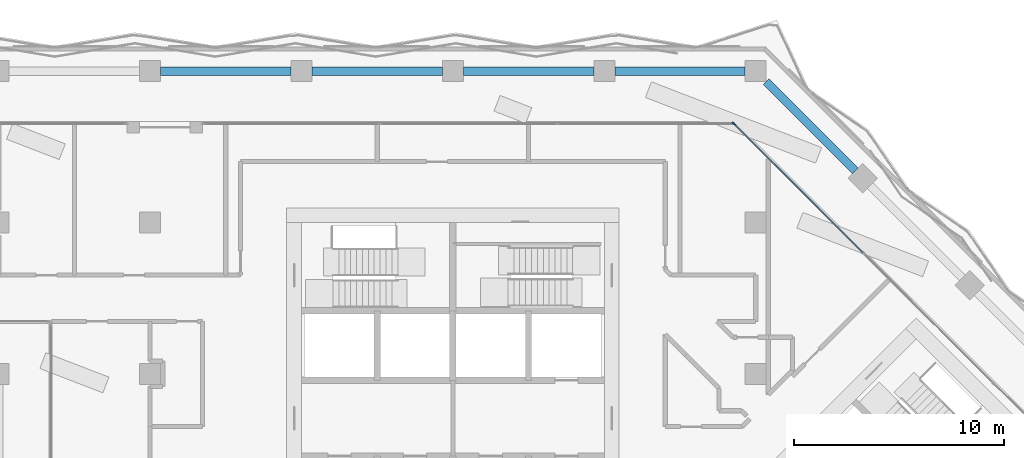
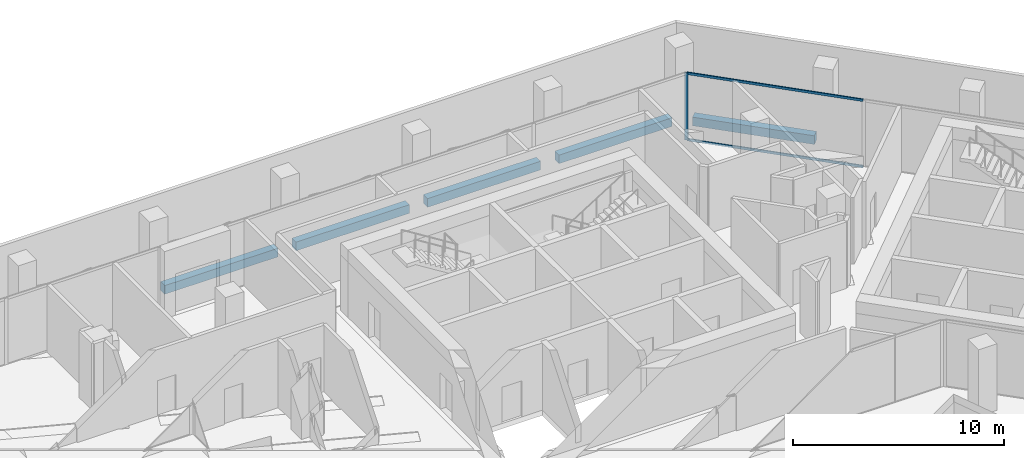
# One storey, part 6 of 23: 5 beams, 3 members, 1 element without a shape of its own.
"""IFC4 building model written with IfcOpenShell, lengths in metres."""

import ifcopenshell
import ifcopenshell.guid

model = None  # the IFC model being written
_history = None  # IfcOwnerHistory: only IFC2X3 demands one
_inside = {}  # id of a spatial element -> (the spatial element, [elements in it])
_under = {}  # id of a project, library or spatial element -> (it, [spatial elements below it])
_declared = {}  # id of a project -> (the project, [libraries it declares])
_typed = {}  # id of a type object -> (the type object, [elements of that type])
_made_of = {}  # id of a material, layer set ... -> (it, [elements and type objects made of it])


def new_model(schema):
    """Start an empty IFC model of exactly this schema.

    Asked for "IFC4X3", IfcOpenShell would pick the latest addendum, in which some entities
    have other attributes; the version numbers below select the first issue.
    IFC2X3 requires an IfcOwnerHistory on every rooted entity: one is made here for all.
    """
    global model, _history
    if schema == "IFC4X3":
        model = ifcopenshell.file(schema_version=(4, 3, 0, 0))
    else:
        model = ifcopenshell.file(schema=schema)
    _inside.clear()
    _under.clear()
    _declared.clear()
    _typed.clear()
    _made_of.clear()
    _history = None
    if model.schema == "IFC2X3":
        org = make("IfcOrganization", Name="unknown")
        user = make(
            "IfcPersonAndOrganization",
            ThePerson=make("IfcPerson", FamilyName="unknown"),
            TheOrganization=org,
        )
        app = make(
            "IfcApplication",
            ApplicationDeveloper=org,
            Version="unknown",
            ApplicationFullName="unknown",
            ApplicationIdentifier="unknown",
        )
        _history = make(
            "IfcOwnerHistory",
            OwningUser=user,
            OwningApplication=app,
            ChangeAction="ADDED",
            CreationDate=0,
        )
    return model


def make(cls, **values):
    """One entity of the class cls with the attributes given. An attribute that is None is left unset."""
    return model.create_entity(
        cls, **{name: value for name, value in values.items() if value is not None}
    )


def rooted(cls, **values):
    """An entity with a GlobalId (a new one), such as an element, a storey or a relation."""
    return make(cls, GlobalId=ifcopenshell.guid.new(), OwnerHistory=_history, **values)


def si_unit(unit_type, name, prefix=None):
    """IfcSIUnit, for example si_unit("LENGTHUNIT", "METRE", prefix="MILLI")."""
    return make("IfcSIUnit", UnitType=unit_type, Prefix=prefix, Name=name)


def assignment(units):
    """IfcUnitAssignment: the units of a project."""
    return None if units is None else make("IfcUnitAssignment", Units=units)


def point(xyz):
    """IfcCartesianPoint."""
    return None if xyz is None else make("IfcCartesianPoint", Coordinates=xyz)


def direction(xyz):
    """IfcDirection."""
    return None if xyz is None else make("IfcDirection", DirectionRatios=xyz)


def frame(location, z_axis=None, x_axis=None):
    """IfcAxis2Placement3D, a coordinate frame: its origin and axes. An axis left out is left unset."""
    return make(
        "IfcAxis2Placement3D",
        Location=point(location),
        Axis=direction(z_axis),
        RefDirection=direction(x_axis),
    )


def frame_2d(location, x_axis=None):
    """IfcAxis2Placement2D, a coordinate frame in the plane: its origin and x axis."""
    return make(
        "IfcAxis2Placement2D", Location=point(location), RefDirection=direction(x_axis)
    )


def origin():
    """The frame at (0, 0, 0) with its axes left unset."""
    return frame((0.0, 0.0, 0.0))


def origin_2d():
    """The frame at (0, 0) in the plane with its x axis left unset."""
    return frame_2d((0.0, 0.0))


def place(relative_to, where):
    """IfcLocalPlacement: puts the frame where relative to a parent placement (None: the world)."""
    return make(
        "IfcLocalPlacement", PlacementRelTo=relative_to, RelativePlacement=where
    )


def context(
    kind, dimensions, precision=None, world=None, true_north=None, identifier=None
):
    """IfcGeometricRepresentationContext, for example the 3D "Model" context."""
    return make(
        "IfcGeometricRepresentationContext",
        ContextIdentifier=identifier,
        ContextType=kind,
        CoordinateSpaceDimension=dimensions,
        Precision=precision,
        WorldCoordinateSystem=world,
        TrueNorth=true_north,
    )


def subcontext(parent, identifier, kind, view, scale=None):
    """IfcGeometricRepresentationSubContext, for example "Body" below "Model"."""
    return make(
        "IfcGeometricRepresentationSubContext",
        ContextIdentifier=identifier,
        ContextType=kind,
        ParentContext=parent,
        TargetScale=scale,
        TargetView=view,
    )


def project(units=None, contexts=None):
    """IfcProject with its units and contexts."""
    return rooted(
        "IfcProject",
        Name="project",
        RepresentationContexts=contexts,
        UnitsInContext=assignment(units),
    )


def spatial(cls, under=None, at=None, **own):
    """A site, building, storey or space (cls), placed at a placement, below another one or the project."""
    s = rooted(cls, ObjectPlacement=at, **own)
    if under is not None:
        _under.setdefault(under.id(), (under, []))[1].append(s)
    return s


def profile(cls, at=None, kind="AREA", **sizes):
    """A parametric profile (cls). Its sizes go by their IFC names, for example OverallWidth=200.0."""
    return make(cls, ProfileType=kind, Position=at, **sizes)


def rectangle(**sizes):
    """IfcRectangleProfileDef."""
    return profile("IfcRectangleProfileDef", **sizes)


def extrude(swept, where, along, depth):
    """IfcExtrudedAreaSolid: the profile swept, set in the frame where, extruded along a direction by depth."""
    return make(
        "IfcExtrudedAreaSolid",
        SweptArea=swept,
        Position=where,
        ExtrudedDirection=direction(along),
        Depth=depth,
    )


def shape(context_of_items, identifier, shape_type, items):
    """IfcShapeRepresentation: the items that make up one representation, for example the "Body"."""
    return make(
        "IfcShapeRepresentation",
        ContextOfItems=context_of_items,
        RepresentationIdentifier=identifier,
        RepresentationType=shape_type,
        Items=items,
    )


def material(Name=None, Category=None):
    """IfcMaterial."""
    return make("IfcMaterial", Name=Name, Category=Category)


def material_profile(
    of_material, cross_section, Name=None, Category=None, Priority=None
):
    """IfcMaterialProfile: a cross section and its material."""
    return make(
        "IfcMaterialProfile",
        Name=Name,
        Material=of_material,
        Profile=cross_section,
        Priority=Priority,
        Category=Category,
    )


def profile_set(profiles, Name=None, composite=None):
    """IfcMaterialProfileSet."""
    return make(
        "IfcMaterialProfileSet",
        Name=Name,
        MaterialProfiles=profiles,
        CompositeProfile=composite,
    )


def made_of(thing, what):
    """Note that an element or type object is made of a material, layer set ...; save() writes the relation."""
    if what is not None:
        _made_of.setdefault(what.id(), (what, []))[1].append(thing)
    return thing


def type_object(cls, material=None, **own):
    """A type object (cls), such as IfcWallType, which elements share."""
    return made_of(rooted(cls, **own), material)


def element(
    cls,
    number,
    at=None,
    inside=None,
    cuts=None,
    type_object=None,
    material=None,
    context=None,
    identifier="Body",
    shape_type=None,
    held_by="IfcProductDefinitionShape",
    body=None,
    shapes=None,
    **own,
):
    """One element of the class cls, such as IfcWall. Its Tag is "e" and its number.

    at: its placement. inside: the storey or other place that contains it. cuts: it is an
    opening in that element (IfcRelVoidsElement). A single representation is given by context,
    identifier, shape_type and body (its items); several are given by shapes. held_by: the class
    of the entity that holds the representations. save() writes the other relations.
    """
    e = rooted(cls, Tag="e%d" % number, ObjectPlacement=at, **own)
    if body is not None:
        shapes = [shape(context, identifier, shape_type, body)]
    if shapes is not None:
        e.Representation = make(held_by, Representations=shapes)
    if inside is not None:
        _inside.setdefault(inside.id(), (inside, []))[1].append(e)
    if cuts is not None:
        rooted(
            "IfcRelVoidsElement", RelatingBuildingElement=cuts, RelatedOpeningElement=e
        )
    if type_object is not None:
        _typed.setdefault(type_object.id(), (type_object, []))[1].append(e)
    return made_of(e, material)


def aggregate(whole, parts):
    """IfcRelAggregates: a whole, such as a stair, and the parts it consists of."""
    return rooted("IfcRelAggregates", RelatingObject=whole, RelatedObjects=parts)


def save(model, path):
    """Write the relations noted so far, then the file.

    IfcRelAggregates (storeys below a building ...), IfcRelContainedInSpatialStructure (elements
    in a storey), IfcRelDefinesByType, IfcRelAssociatesMaterial and IfcRelDeclares: one each for
    every whole, place, type object, material and project.
    """
    for whole, parts in _under.values():
        aggregate(whole, parts)
    for where, things in _inside.values():
        rooted(
            "IfcRelContainedInSpatialStructure",
            RelatedElements=things,
            RelatingStructure=where,
        )
    for kind, things in _typed.values():
        rooted("IfcRelDefinesByType", RelatedObjects=things, RelatingType=kind)
    for what, things in _made_of.values():
        rooted("IfcRelAssociatesMaterial", RelatedObjects=things, RelatingMaterial=what)
    for by, libraries in _declared.values():
        rooted("IfcRelDeclares", RelatingContext=by, RelatedDefinitions=libraries)
    model.write(path)


model = new_model("IFC4")

# Units and contexts
model_context = context("Model", 3, precision=1e-05, world=origin(), true_north=direction((0.0, 1.0)))
body_context = subcontext(model_context, "Body", "Model", "MODEL_VIEW")
ifc_project = project(units=[si_unit("LENGTHUNIT", "METRE"), si_unit("AREAUNIT", "SQUARE_METRE"), si_unit("VOLUMEUNIT", "CUBIC_METRE"), si_unit("PLANEANGLEUNIT", "RADIAN"), si_unit("MASSUNIT", "GRAM", prefix="KILO")], contexts=[model_context])

# Site, building, storey
site_placement = place(None, origin())
site = spatial("IfcSite", under=ifc_project, at=site_placement, CompositionType="ELEMENT")
building_placement = place(site_placement, origin())
building = spatial("IfcBuilding", under=site, at=building_placement, Name="Windrow Commons", CompositionType="ELEMENT")
storey_placement = place(building_placement, frame((0.0, 0.0, 122.0)))
storey = spatial("IfcBuildingStorey", under=building, at=storey_placement, Name="L33", CompositionType="ELEMENT", Elevation=122.0)

# Curtain wall, members
ifc_material_1 = material(Name="Clear laminated glass in Aluminium 6063-T6 anodised frame", Category="aluminium")
curtain_wall_type = type_object("IfcCurtainWallType", Name="Curtain wall CW2M sky lounge mid", PredefinedType="USERDEFINED", material=ifc_material_1)
curtain_wall_placement = place(storey_placement, origin())
curtain_wall = element("IfcCurtainWall", 1, at=curtain_wall_placement, inside=storey, type_object=curtain_wall_type, Name="Curtain wall CW2M L33 3", ObjectType="UNITISED", PredefinedType="USERDEFINED")
ifc_material_2 = material(Name="Aluminium 6063-T6", Category="aluminium")
ifc_material_profile_1 = material_profile(ifc_material_2, rectangle(XDim=0.06, YDim=0.18, at=origin_2d()))
ifc_profile_set_1 = profile_set([ifc_material_profile_1], Name="Aluminium 6063-T6")
member_type_1 = type_object("IfcMemberType", Name="CW2M mullion 60x180", PredefinedType="MULLION", material=ifc_profile_set_1)
member_1_placement = place(storey_placement, frame((78.1564, 69.5081, 0.0), z_axis=(0.0, 0.0, 1.0), x_axis=(-0.7071067812, -0.7071067812, 0.0)))
member_1 = element("IfcMember", 2, at=member_1_placement, type_object=member_type_1, Name="CW2M mullion 5", PredefinedType="MULLION", context=body_context, shape_type="SweptSolid", body=[
    extrude(rectangle(XDim=0.06, YDim=0.18, at=origin_2d()), origin(), (0.0, 0.0, 1.0), 3.9),
])
ifc_material_3 = material(Name="Aluminium 6063-T6", Category="aluminium")
ifc_material_profile_2 = material_profile(ifc_material_3, rectangle(XDim=0.06, YDim=0.14, at=origin_2d()))
ifc_profile_set_2 = profile_set([ifc_material_profile_2], Name="Aluminium 6063-T6")
member_type_2 = type_object("IfcMemberType", Name="CW2M transom 60x140", PredefinedType="USERDEFINED", material=ifc_profile_set_2)
member_2_placement = place(storey_placement, frame((84.3022, 63.3623, 0.03), z_axis=(-0.7071067812, 0.7071067812, 0.0), x_axis=(-0.7071067812, -0.7071067812, 0.0)))
member_2 = element("IfcMember", 3, at=member_2_placement, type_object=member_type_2, Name="CW2M transom 4.1", ObjectType="TRANSOM", PredefinedType="USERDEFINED", context=body_context, shape_type="SweptSolid", body=[
    extrude(rectangle(XDim=0.06, YDim=0.14, at=origin_2d()), origin(), (0.0, 0.0, 1.0), 8.6615),
])
member_3_placement = place(storey_placement, frame((84.3022, 63.3623, 3.87), z_axis=(-0.7071067812, 0.7071067812, 0.0), x_axis=(-0.7071067812, -0.7071067812, 0.0)))
member_3 = element("IfcMember", 4, at=member_3_placement, type_object=member_type_2, Name="CW2M transom 4.2", ObjectType="TRANSOM", PredefinedType="USERDEFINED", context=body_context, shape_type="SweptSolid", body=[
    extrude(rectangle(XDim=0.06, YDim=0.14, at=origin_2d()), origin(), (0.0, 0.0, 1.0), 8.6615),
])
aggregate(curtain_wall, [member_1, member_2, member_3])

# Beams
ifc_material_4 = material(Name="Concrete C50/60", Category="concrete")
ifc_material_profile_3 = material_profile(ifc_material_4, rectangle(XDim=0.4, YDim=0.5, at=origin_2d()))
ifc_profile_set_3 = profile_set([ifc_material_profile_3], Name="Concrete C50/60")
beam_type = type_object("IfcBeamType", Name="RC EDGE BEAM 400x500 C50/60", PredefinedType="SPANDREL", material=ifc_profile_set_3)
for number, where, z_axis, x_axis, name in (
    (5, (50.9, 72.0, -0.55), (1.0, 0.0, 0.0), (0.0, 1.0, 0.0), "Edge beam L33 009"),
    (6, (58.1, 72.0, -0.55), (1.0, 0.0, 0.0), (0.0, 1.0, 0.0), "Edge beam L33 010"),
    (7, (65.3, 72.0, -0.55), (1.0, 0.0, 0.0), (0.0, 1.0, 0.0), "Edge beam L33 011"),
    (8, (72.5, 72.0, -0.55), (1.0, 0.0, 0.0), (0.0, 1.0, 0.0), "Edge beam L33 012"),
):
    element("IfcBeam", number, at=place(storey_placement, frame(where, z_axis=z_axis, x_axis=x_axis)), inside=storey, type_object=beam_type, Name=name, PredefinedType="SPANDREL", context=body_context, shape_type="SweptSolid", body=[
        extrude(rectangle(XDim=0.4, YDim=0.5, at=origin_2d()), origin(), (0.0, 0.0, 1.0), 6.2),
    ])
beam_placement = place(storey_placement, frame((79.7, 71.5, -0.55), z_axis=(0.7071067812, -0.7071067812, 0.0), x_axis=(0.7071067812, 0.7071067812, 0.0)))
element("IfcBeam", 9, at=beam_placement, inside=storey, type_object=beam_type, Name="Edge beam L33 013", PredefinedType="SPANDREL", context=body_context, shape_type="SweptSolid", body=[
    extrude(rectangle(XDim=0.4, YDim=0.5, at=origin_2d()), origin(), (0.0, 0.0, 1.0), 5.9929),
])

save(model, "model.ifc")
